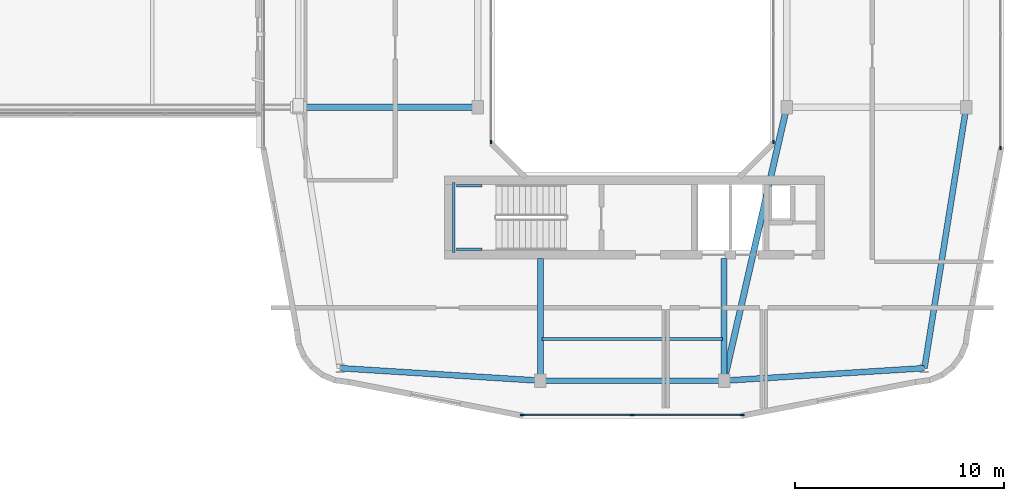
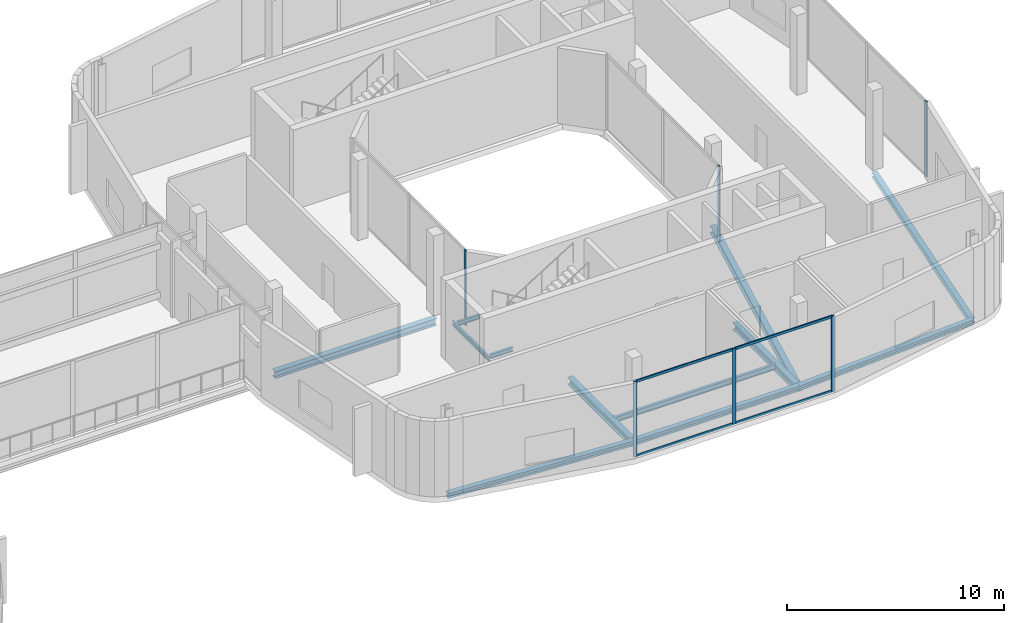
# One storey, part 9 of 24: 12 beams, 10 members, 4 elements without a shape of their own.
"""IFC4 building model written with IfcOpenShell, lengths in metres."""

from ifc_helpers import new_model, si_unit, derived_unit, direction, frame, origin, origin_2d, place, context, subcontext, project, spatial, rectangle, i_section, extrude, material, layer, layer_set, material_profile, profile_set, type_object, element, aggregate, save


model = new_model("IFC4")

# Units and contexts
model_context = context("Model", 3, precision=1e-05, world=origin(), true_north=direction((0.0, 1.0)))
body_context = subcontext(model_context, "Body", "Model", "MODEL_VIEW")
ifc_project = project(units=[si_unit("LENGTHUNIT", "METRE"), si_unit("AREAUNIT", "SQUARE_METRE"), si_unit("VOLUMEUNIT", "CUBIC_METRE"), si_unit("PLANEANGLEUNIT", "RADIAN"), si_unit("MASSUNIT", "GRAM", prefix="KILO"), derived_unit("THERMALTRANSMITTANCEUNIT", [(si_unit("POWERUNIT", "WATT"), 1), (si_unit("LENGTHUNIT", "METRE"), -2), (si_unit("THERMODYNAMICTEMPERATUREUNIT", "KELVIN"), -1)])], contexts=[model_context])

# Site, building, storey
site_placement = place(None, origin())
site = spatial("IfcSite", under=ifc_project, at=site_placement, CompositionType="ELEMENT")
building_placement = place(site_placement, origin())
building = spatial("IfcBuilding", under=site, at=building_placement, Name="Kivonza Crest Hotel", CompositionType="ELEMENT")
storey_placement = place(building_placement, frame((0.0, 0.0, 119.5)))
storey = spatial("IfcBuildingStorey", under=building, at=storey_placement, Name="L32", CompositionType="ELEMENT", Elevation=119.5)

# Beams
ifc_material_1 = material(Name="Steel S355", Category="steel")
ifc_material_profile_1 = material_profile(ifc_material_1, i_section(OverallWidth=0.280029296875, OverallDepth=0.280029296875, WebThickness=0.010498046875, FlangeThickness=0.01806640625, FilletRadius=0.02392578125, at=origin_2d()), Name="HEB 280")
ifc_profile_set_1 = profile_set([ifc_material_profile_1], Name="Steel S355")
beam_type_1 = type_object("IfcBeamType", Name="BM-HEB280", PredefinedType="SPANDREL", material=ifc_profile_set_1)
beam_1_placement = place(storey_placement, frame((72.60009765625, 8.39990234375, -0.4599609375), z_axis=(1.0, 0.0, 0.0), x_axis=(0.0, 1.0, 0.0)))
element("IfcBeam", 1, at=beam_1_placement, inside=storey, type_object=beam_type_1, Name="Companion Tower T2 L32 perimeter spandrel S1-S2", PredefinedType="SPANDREL", context=body_context, shape_type="SweptSolid", body=[
    extrude(i_section(OverallWidth=0.280029296875, OverallDepth=0.280029296875, WebThickness=0.010498046875, FlangeThickness=0.01806640625, FilletRadius=0.02392578125, at=origin_2d()), origin(), (0.0, 0.0, 1.0), 8.7998046875),
])
beam_2_placement = place(storey_placement, frame((81.39990234375, 8.39990234375, -0.4599609375), z_axis=(0.998051985873, 0.062387767186, 0.0), x_axis=(-0.062387767186, 0.998051985873, 0.0)))
element("IfcBeam", 2, at=beam_2_placement, inside=storey, type_object=beam_type_1, Name="Companion Tower T2 L32 perimeter spandrel S2-SE", PredefinedType="SPANDREL", context=body_context, shape_type="SweptSolid", body=[
    extrude(i_section(OverallWidth=0.280029296875, OverallDepth=0.280029296875, WebThickness=0.010498046875, FlangeThickness=0.01806640625, FilletRadius=0.02392578125, at=origin_2d()), origin(), (0.0, 0.0, 1.0), 9.618896484375),
])
beam_3_placement = place(storey_placement, frame((91.0, 9.0, -0.4599609375), z_axis=(0.157990501107, 0.987440631917, 0.0), x_axis=(-0.987440631917, 0.157990501107, 0.0)))
element("IfcBeam", 3, at=beam_3_placement, inside=storey, type_object=beam_type_1, Name="Companion Tower T2 L32 perimeter spandrel SE-E1", PredefinedType="SPANDREL", context=body_context, shape_type="SweptSolid", body=[
    extrude(i_section(OverallWidth=0.280029296875, OverallDepth=0.280029296875, WebThickness=0.010498046875, FlangeThickness=0.01806640625, FilletRadius=0.02392578125, at=origin_2d()), origin(), (0.0, 0.0, 1.0), 12.658935546875),
])
beam_4_placement = place(storey_placement, frame((63.0, 9.0, -0.4599609375), z_axis=(0.998051985873, -0.062387767186, 0.0), x_axis=(0.062387767186, 0.998051985873, 0.0)))
element("IfcBeam", 4, at=beam_4_placement, inside=storey, type_object=beam_type_1, Name="Companion Tower T2 L32 perimeter spandrel SW-S1", PredefinedType="SPANDREL", context=body_context, shape_type="SweptSolid", body=[
    extrude(i_section(OverallWidth=0.280029296875, OverallDepth=0.280029296875, WebThickness=0.010498046875, FlangeThickness=0.01806640625, FilletRadius=0.02392578125, at=origin_2d()), origin(), (0.0, 0.0, 1.0), 9.618896484375),
])
ifc_material_profile_2 = material_profile(ifc_material_1, i_section(OverallWidth=0.300048828125, OverallDepth=0.39990234375, WebThickness=0.013427734375, FlangeThickness=0.02392578125, FilletRadius=0.027099609375, at=origin_2d()), Name="HEB 400")
ifc_profile_set_2 = profile_set([ifc_material_profile_2], Name="Steel S355")
beam_type_2 = type_object("IfcBeamType", Name="BM-HEB400", PredefinedType="BEAM", material=ifc_profile_set_2)
beam_5_placement = place(storey_placement, frame((61.0, 21.5, -0.52001953125), z_axis=(1.0, 0.0, 0.0), x_axis=(0.0, 1.0, 0.0)))
element("IfcBeam", 5, at=beam_5_placement, inside=storey, type_object=beam_type_2, Name="Companion Tower T2 L32 girder W1-WL1", PredefinedType="BEAM", context=body_context, shape_type="SweptSolid", body=[
    extrude(i_section(OverallWidth=0.300048828125, OverallDepth=0.39990234375, WebThickness=0.013427734375, FlangeThickness=0.02392578125, FilletRadius=0.027099609375, at=origin_2d()), origin(), (0.0, 0.0, 1.0), 8.60009765625),
])
beam_6_placement = place(storey_placement, frame((84.39990234375, 21.5, -0.52001953125), z_axis=(-0.223227287589, -0.974766422317, 0.0), x_axis=(0.974766422317, -0.223227287589, 0.0)))
element("IfcBeam", 6, at=beam_6_placement, inside=storey, type_object=beam_type_2, Name="Companion Tower T2 L32 girder WR1-S2", PredefinedType="BEAM", context=body_context, shape_type="SweptSolid", body=[
    extrude(i_section(OverallWidth=0.300048828125, OverallDepth=0.39990234375, WebThickness=0.013427734375, FlangeThickness=0.02392578125, FilletRadius=0.027099609375, at=origin_2d()), origin(), (0.0, 0.0, 1.0), 13.439208984375),
])
for number, where, z_axis, x_axis, name in (
    (7, (72.60009765625, 8.39990234375, -0.52001953125), (0.0, 1.0, 0.0), (-1.0, 0.0, 0.0), "Companion T2 L32 radial core girder RS1"),
    (8, (81.39990234375, 8.39990234375, -0.52001953125), (0.0, 1.0, 0.0), (-1.0, 0.0, 0.0), "Companion T2 L32 radial core girder RS2"),
):
    element("IfcBeam", number, at=place(storey_placement, frame(where, z_axis=z_axis, x_axis=x_axis)), inside=storey, type_object=beam_type_2, Name=name, PredefinedType="BEAM", context=body_context, shape_type="SweptSolid", body=[
        extrude(i_section(OverallWidth=0.300048828125, OverallDepth=0.39990234375, WebThickness=0.013427734375, FlangeThickness=0.02392578125, FilletRadius=0.027099609375, at=origin_2d()), origin(), (0.0, 0.0, 1.0), 5.85009765625),
    ])
ifc_material_profile_3 = material_profile(ifc_material_1, i_section(OverallWidth=0.14990234375, OverallDepth=0.300048828125, WebThickness=0.007080078125, FlangeThickness=0.0107421875, FilletRadius=0.014892578125, at=origin_2d()), Name="IPE 300")
ifc_profile_set_3 = profile_set([ifc_material_profile_3], Name="Steel S355")
beam_type_3 = type_object("IfcBeamType", Name="BM-IPE300", PredefinedType="JOIST", material=ifc_profile_set_3)
beam_7_placement = place(storey_placement, frame((72.679931640625, 10.39990234375, -0.469970703125), z_axis=(1.0, 0.0, 0.0), x_axis=(0.0, 1.0, 0.0)))
element("IfcBeam", 9, at=beam_7_placement, inside=storey, type_object=beam_type_3, Name="Companion Tower T2 L32 South floor joist", PredefinedType="JOIST", context=body_context, shape_type="SweptSolid", body=[
    extrude(i_section(OverallWidth=0.14990234375, OverallDepth=0.300048828125, WebThickness=0.007080078125, FlangeThickness=0.0107421875, FilletRadius=0.014892578125, at=origin_2d()), origin(), (0.0, 0.0, 1.0), 8.64013671875),
])
ifc_material_profile_4 = material_profile(ifc_material_1, i_section(OverallWidth=0.1201171875, OverallDepth=0.239990234375, WebThickness=0.006103515625, FlangeThickness=0.009765625, FilletRadius=0.014892578125, at=origin_2d()), Name="IPE 240")
ifc_profile_set_4 = profile_set([ifc_material_profile_4], Name="Steel S355")
beam_type_4 = type_object("IfcBeamType", Name="BM-LLDG-240", PredefinedType="BEAM", material=ifc_profile_set_4)
beam_8_placement = place(storey_placement, frame((68.4599609375, 14.5400390625, 1.929931640625), z_axis=(0.0, 1.0, 0.0), x_axis=(-1.0, 0.0, 0.0)))
element("IfcBeam", 10, at=beam_8_placement, inside=storey, type_object=beam_type_4, Name="Stair ST-T2-S L32 West landing corbel", PredefinedType="BEAM", context=body_context, shape_type="SweptSolid", body=[
    extrude(i_section(OverallWidth=0.1201171875, OverallDepth=0.239990234375, WebThickness=0.006103515625, FlangeThickness=0.009765625, FilletRadius=0.014892578125, at=origin_2d()), origin(), (0.0, 0.0, 1.0), 3.35986328125),
])
for number, where, z_axis, x_axis, name in (
    (11, (68.590087890625, 14.699951171875, 1.929931640625), (1.0, 0.0, 0.0), (0.0, 1.0, 0.0), "Stair ST-T2-S L32 South landing corbel"),
    (12, (68.590087890625, 17.739990234375, 1.929931640625), (1.0, 0.0, 0.0), (0.0, 1.0, 0.0), "Stair ST-T2-S L32 North landing corbel"),
):
    element("IfcBeam", number, at=place(storey_placement, frame(where, z_axis=z_axis, x_axis=x_axis)), inside=storey, type_object=beam_type_4, Name=name, PredefinedType="BEAM", context=body_context, shape_type="SweptSolid", body=[
        extrude(i_section(OverallWidth=0.1201171875, OverallDepth=0.239990234375, WebThickness=0.006103515625, FlangeThickness=0.009765625, FilletRadius=0.014892578125, at=origin_2d()), origin(), (0.0, 0.0, 1.0), 1.2099609375),
    ])

# Curtain wall, members
ifc_material_2 = material(Name="Anodised bronze aluminium and low-E double glazing", Category="aluminium")
ifc_layer_1 = layer(ifc_material_2, 0.179931640625)
ifc_layer_set_1 = layer_set([ifc_layer_1], Name="Anodised bronze aluminium and low-E double glazing")
curtain_wall_type_1 = type_object("IfcCurtainWallType", Name="CW-SYS-4", PredefinedType="NOTDEFINED", material=ifc_layer_set_1)
curtain_wall_1_placement = place(storey_placement, origin())
curtain_wall_1 = element("IfcCurtainWall", 13, at=curtain_wall_1_placement, inside=storey, type_object=curtain_wall_type_1, Name="L32 unitised curtain wall CW-T2-L32-08", PredefinedType="NOTDEFINED")
ifc_material_3 = material(Name="Anodised bronze aluminium", Category="aluminium")
ifc_material_profile_5 = material_profile(ifc_material_3, rectangle(XDim=0.06494140625, YDim=0.179931640625, at=origin_2d()), Name="CW-M 65x180")
ifc_profile_set_5 = profile_set([ifc_material_profile_5], Name="Anodised bronze aluminium")
member_type_1 = type_object("IfcMemberType", Name="CW-MUL-65x180", PredefinedType="MULLION", material=ifc_profile_set_5)
member_1_placement = place(storey_placement, frame((71.732421875, 6.760009765625, 0.0), z_axis=(0.0, 0.0, 1.0), x_axis=(0.0, 1.0, 0.0)))
member_1 = element("IfcMember", 14, at=member_1_placement, type_object=member_type_1, Name="CW-4 mullion 1", PredefinedType="MULLION", context=body_context, shape_type="SweptSolid", body=[
    extrude(rectangle(XDim=0.06494140625, YDim=0.179931640625, at=origin_2d()), origin(), (0.0, 0.0, 1.0), 4.25),
])
member_2_placement = place(storey_placement, frame((77.0, 6.760009765625, 0.0), z_axis=(0.0, 0.0, 1.0), x_axis=(0.0, 1.0, 0.0)))
member_2 = element("IfcMember", 15, at=member_2_placement, type_object=member_type_1, Name="CW-4 mullion 2", PredefinedType="MULLION", context=body_context, shape_type="SweptSolid", body=[
    extrude(rectangle(XDim=0.06494140625, YDim=0.179931640625, at=origin_2d()), origin(), (0.0, 0.0, 1.0), 4.25),
])
member_3_placement = place(storey_placement, frame((82.267578125, 6.760009765625, 0.0), z_axis=(0.0, 0.0, 1.0), x_axis=(0.0, 1.0, 0.0)))
member_3 = element("IfcMember", 16, at=member_3_placement, type_object=member_type_1, Name="CW-4 mullion 3", PredefinedType="MULLION", context=body_context, shape_type="SweptSolid", body=[
    extrude(rectangle(XDim=0.06494140625, YDim=0.179931640625, at=origin_2d()), origin(), (0.0, 0.0, 1.0), 4.25),
])

# Curtain wall, member
curtain_wall_2_placement = place(storey_placement, origin())
curtain_wall_2 = element("IfcCurtainWall", 17, at=curtain_wall_2_placement, inside=storey, type_object=curtain_wall_type_1, Name="L32 unitised curtain wall CW-T2-L32-17", PredefinedType="NOTDEFINED")
member_4_placement = place(storey_placement, frame((94.639892578125, 19.552490234375, 0.0), z_axis=(0.0, 0.0, 1.0), x_axis=(-1.0, 0.0, 0.0)))
member_4 = element("IfcMember", 18, at=member_4_placement, type_object=member_type_1, Name="CW-4 mullion 1", PredefinedType="MULLION", context=body_context, shape_type="SweptSolid", body=[
    extrude(rectangle(XDim=0.06494140625, YDim=0.179931640625, at=origin_2d()), origin(), (0.0, 0.0, 1.0), 4.25),
])
aggregate(curtain_wall_2, [member_4])

ifc_layer_2 = layer(ifc_material_2, 0.159912109375)
ifc_layer_set_2 = layer_set([ifc_layer_2], Name="Anodised bronze aluminium and low-E double glazing")
curtain_wall_type_2 = type_object("IfcCurtainWallType", Name="CW-SYS-5", PredefinedType="NOTDEFINED", material=ifc_layer_set_2)
curtain_wall_3_placement = place(storey_placement, origin())
curtain_wall_3 = element("IfcCurtainWall", 19, at=curtain_wall_3_placement, inside=storey, type_object=curtain_wall_type_2, Name="L32 unitised curtain wall CW-WELL-T2-L32-3", PredefinedType="NOTDEFINED")
member_5_placement = place(storey_placement, frame((83.760009765625, 19.83251953125, 0.0), z_axis=(0.0, 0.0, 1.0), x_axis=(-1.0, 0.0, 0.0)))
member_5 = element("IfcMember", 20, at=member_5_placement, type_object=member_type_1, Name="CW-5 mullion 1", PredefinedType="MULLION", context=body_context, shape_type="SweptSolid", body=[
    extrude(rectangle(XDim=0.06494140625, YDim=0.179931640625, at=origin_2d()), origin(), (0.0, 0.0, 1.0), 4.25),
])
aggregate(curtain_wall_3, [member_5])

curtain_wall_4_placement = place(storey_placement, origin())
curtain_wall_4 = element("IfcCurtainWall", 21, at=curtain_wall_4_placement, inside=storey, type_object=curtain_wall_type_2, Name="L32 unitised curtain wall CW-WELL-T2-L32-7", PredefinedType="NOTDEFINED")
member_6_placement = place(storey_placement, frame((70.239990234375, 19.83251953125, 0.0), z_axis=(0.0, 0.0, 1.0), x_axis=(1.0, 0.0, 0.0)))
member_6 = element("IfcMember", 22, at=member_6_placement, type_object=member_type_1, Name="CW-5 mullion 3", PredefinedType="MULLION", context=body_context, shape_type="SweptSolid", body=[
    extrude(rectangle(XDim=0.06494140625, YDim=0.179931640625, at=origin_2d()), origin(), (0.0, 0.0, 1.0), 4.25),
])
aggregate(curtain_wall_4, [member_6])

# Member
ifc_material_profile_6 = material_profile(ifc_material_3, rectangle(XDim=0.06494140625, YDim=0.139892578125, at=origin_2d()), Name="CW-T 65x140")
ifc_profile_set_6 = profile_set([ifc_material_profile_6], Name="Anodised bronze aluminium")
member_type_2 = type_object("IfcMemberType", Name="CW-TRN-65x140", PredefinedType="USERDEFINED", material=ifc_profile_set_6)
member_7_placement = place(storey_placement, frame((71.764892578125, 6.760009765625, 0.032470703125), z_axis=(1.0, 0.0, 0.0), x_axis=(0.0, 1.0, 0.0)))
member_7 = element("IfcMember", 23, at=member_7_placement, type_object=member_type_2, Name="CW-4 transom 1.1", ObjectType="TRANSOM", PredefinedType="USERDEFINED", context=body_context, shape_type="SweptSolid", body=[
    extrude(rectangle(XDim=0.06494140625, YDim=0.139892578125, at=origin_2d()), origin(), (0.0, 0.0, 1.0), 5.20263671875),
])

member_8_placement = place(storey_placement, frame((71.764892578125, 6.760009765625, 4.217529296875), z_axis=(1.0, 0.0, 0.0), x_axis=(0.0, 1.0, 0.0)))
member_8 = element("IfcMember", 24, at=member_8_placement, type_object=member_type_2, Name="CW-4 transom 1.2", ObjectType="TRANSOM", PredefinedType="USERDEFINED", context=body_context, shape_type="SweptSolid", body=[
    extrude(rectangle(XDim=0.06494140625, YDim=0.139892578125, at=origin_2d()), origin(), (0.0, 0.0, 1.0), 5.20263671875),
])

member_9_placement = place(storey_placement, frame((77.032470703125, 6.760009765625, 0.032470703125), z_axis=(1.0, 0.0, 0.0), x_axis=(0.0, 1.0, 0.0)))
member_9 = element("IfcMember", 25, at=member_9_placement, type_object=member_type_2, Name="CW-4 transom 2.1", ObjectType="TRANSOM", PredefinedType="USERDEFINED", context=body_context, shape_type="SweptSolid", body=[
    extrude(rectangle(XDim=0.06494140625, YDim=0.139892578125, at=origin_2d()), origin(), (0.0, 0.0, 1.0), 5.20263671875),
])

member_10_placement = place(storey_placement, frame((77.032470703125, 6.760009765625, 4.217529296875), z_axis=(1.0, 0.0, 0.0), x_axis=(0.0, 1.0, 0.0)))
member_10 = element("IfcMember", 26, at=member_10_placement, type_object=member_type_2, Name="CW-4 transom 2.2", ObjectType="TRANSOM", PredefinedType="USERDEFINED", context=body_context, shape_type="SweptSolid", body=[
    extrude(rectangle(XDim=0.06494140625, YDim=0.139892578125, at=origin_2d()), origin(), (0.0, 0.0, 1.0), 5.20263671875),
])

aggregate(curtain_wall_1, [member_1, member_2, member_3, member_7, member_8, member_9, member_10])

save(model, "model.ifc")
